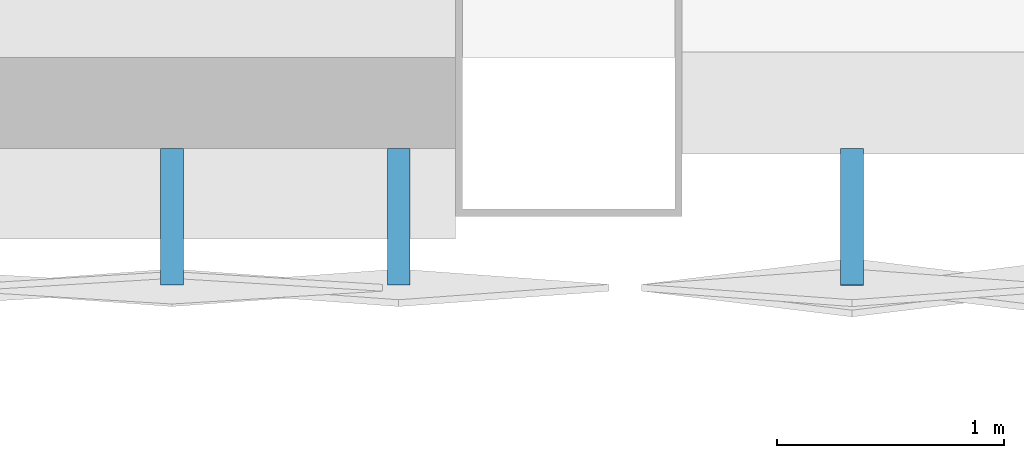
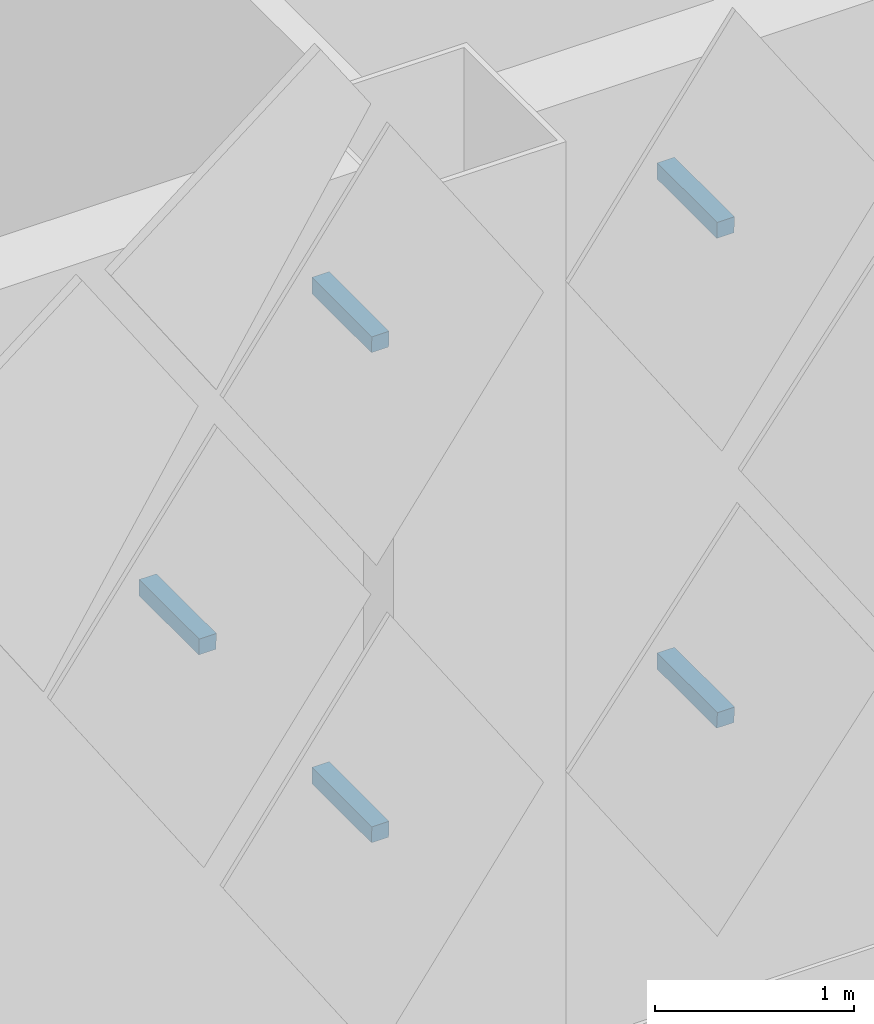
# One storey, part 137 of 185: 5 discrete accessories.
"""IFC4 building model written with IfcOpenShell, lengths in metres."""

from ifc_helpers import new_model, si_unit, direction, frame, origin, place, context, subcontext, project, spatial, polyline, outline, extrude, material, type_object, element, save


model = new_model("IFC4")

# Units and contexts
model_context = context("Model", 3, precision=1e-05, world=origin(), true_north=direction((0.0, 1.0)))
body_context = subcontext(model_context, "Body", "Model", "MODEL_VIEW")
ifc_project = project(units=[si_unit("LENGTHUNIT", "METRE"), si_unit("AREAUNIT", "SQUARE_METRE"), si_unit("VOLUMEUNIT", "CUBIC_METRE"), si_unit("PLANEANGLEUNIT", "RADIAN"), si_unit("MASSUNIT", "GRAM", prefix="KILO")], contexts=[model_context])

# Site, building, storey
site_placement = place(None, origin())
site = spatial("IfcSite", under=ifc_project, at=site_placement, CompositionType="ELEMENT")
building_placement = place(site_placement, origin())
building = spatial("IfcBuilding", under=site, at=building_placement, Name="Opaline Strait Convention Centre", CompositionType="ELEMENT")
storey_placement = place(building_placement, frame((0.0, 0.0, 6.0)))
storey = spatial("IfcBuildingStorey", under=building, at=storey_placement, Name="L01", CompositionType="ELEMENT", Elevation=6.0)

# Discrete accessories
ifc_material = material(Name="Steel Q355B", Category="steel")
discrete_accessory_type = type_object("IfcDiscreteAccessoryType", Name="Tile bracket 100x100 steel", PredefinedType="BRACKET", material=ifc_material)
discrete_accessory_1_placement = place(storey_placement, frame((134.199951171875, 53.800048828125, 1.89208984375), z_axis=(1.0, 0.0, 0.0), x_axis=(0.0, 1.0, 0.0)))
element("IfcDiscreteAccessory", 1, at=discrete_accessory_1_placement, inside=storey, type_object=discrete_accessory_type, Name="Tile bracket XT05 S", PredefinedType="BRACKET", context=body_context, shape_type="SweptSolid", body=[
    extrude(outline(polyline([(0.0, -0.050048828125), (0.0, 0.050048828125), (-0.602294921875, 0.050048828125), (-0.597900390625, -0.050048828125), (0.0, -0.050048828125)])), origin(), (0.0, 0.0, 1.0), 0.10009765625),
])
discrete_accessory_2_placement = place(storey_placement, frame((136.199951171875, 53.800048828125, 1.89208984375), z_axis=(1.0, 0.0, 0.0), x_axis=(0.0, 1.0, 0.0)))
element("IfcDiscreteAccessory", 2, at=discrete_accessory_2_placement, inside=storey, type_object=discrete_accessory_type, Name="Tile bracket XT09 S", PredefinedType="BRACKET", context=body_context, shape_type="SweptSolid", body=[
    extrude(outline(polyline([(0.0, -0.050048828125), (0.0, 0.050048828125), (-0.60400390625, 0.050048828125), (-0.595947265625, -0.050048828125), (0.0, -0.050048828125)])), origin(), (0.0, 0.0, 1.0), 0.10009765625),
])
for number, where, z_axis, x_axis, name in (
    (3, (133.199951171875, 53.800048828125, 3.39208984375), (1.0, 0.0, 0.0), (0.0, 1.0, 0.0), "Tile bracket XT05 S"),
    (4, (134.199951171875, 53.800048828125, 4.89208984375), (1.0, 0.0, 0.0), (0.0, 1.0, 0.0), "Tile bracket XT05 S"),
    (5, (136.199951171875, 53.800048828125, 4.89208984375), (1.0, 0.0, 0.0), (0.0, 1.0, 0.0), "Tile bracket XT05 S"),
):
    element("IfcDiscreteAccessory", number, at=place(storey_placement, frame(where, z_axis=z_axis, x_axis=x_axis)), inside=storey, type_object=discrete_accessory_type, Name=name, PredefinedType="BRACKET", context=body_context, shape_type="SweptSolid", body=[
        extrude(outline(polyline([(0.0, -0.050048828125), (0.0, 0.050048828125), (-0.602294921875, 0.050048828125), (-0.597900390625, -0.050048828125), (0.0, -0.050048828125)])), origin(), (0.0, 0.0, 1.0), 0.10009765625),
    ])

save(model, "model.ifc")
